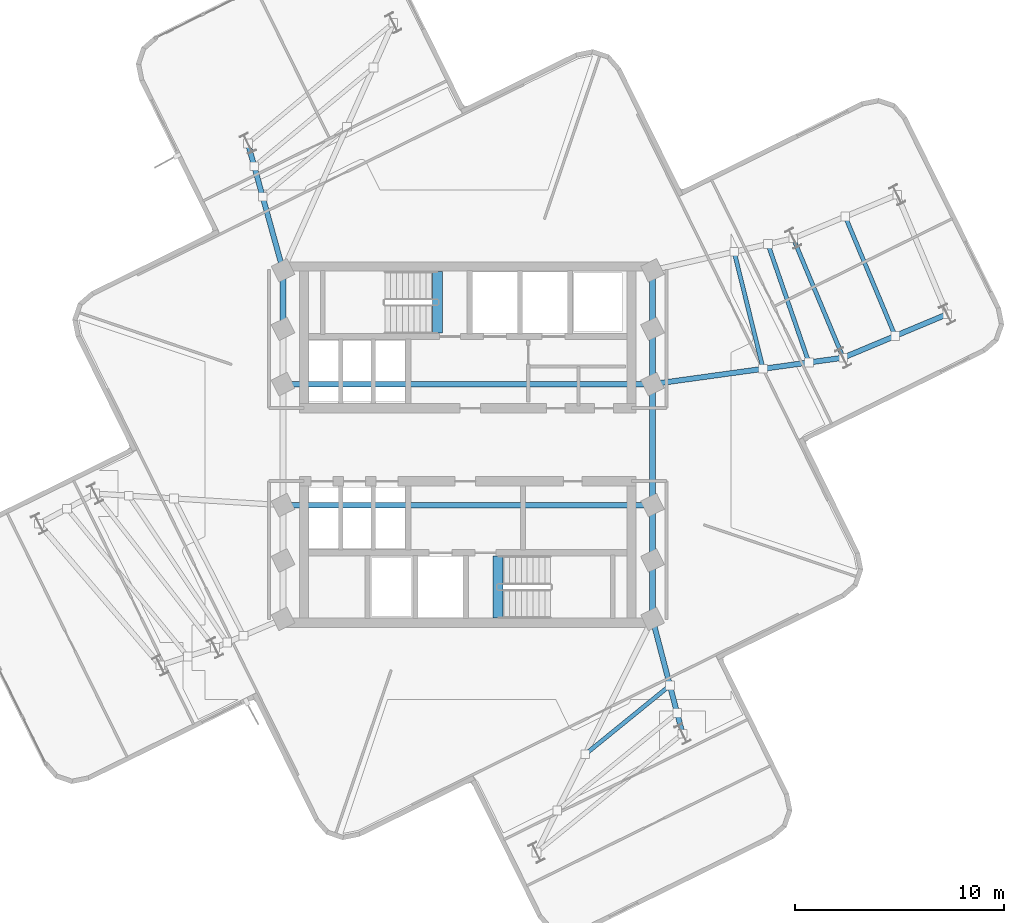
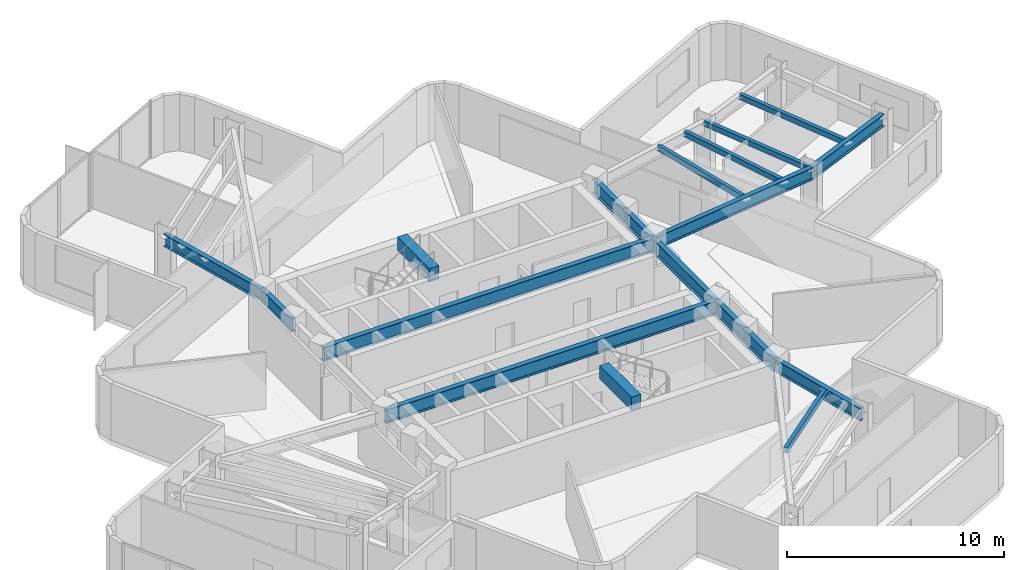
# One storey, part 3 of 11: 19 beams.
"""IFC4 building model written with IfcOpenShell, lengths in metres."""

from ifc_helpers import new_model, si_unit, direction, frame, origin, origin_2d, place, context, subcontext, project, spatial, rectangle, hollow_rectangle, i_section, extrude, material, material_profile, profile_set, type_object, element, save


model = new_model("IFC4")

# Units and contexts
model_context = context("Model", 3, precision=1e-05, world=origin(), true_north=direction((0.0, 1.0)))
body_context = subcontext(model_context, "Body", "Model", "MODEL_VIEW")
ifc_project = project(units=[si_unit("LENGTHUNIT", "METRE"), si_unit("AREAUNIT", "SQUARE_METRE"), si_unit("VOLUMEUNIT", "CUBIC_METRE"), si_unit("PLANEANGLEUNIT", "RADIAN"), si_unit("MASSUNIT", "GRAM", prefix="KILO")], contexts=[model_context])

# Site, building, storey
site_placement = place(None, origin())
site = spatial("IfcSite", under=ifc_project, at=site_placement, CompositionType="ELEMENT")
building_placement = place(site_placement, origin())
building = spatial("IfcBuilding", under=site, at=building_placement, Name="Solmarez Civic Tower", CompositionType="ELEMENT")
storey_placement = place(building_placement, frame((0.0, 0.0, 192.60009765625)))
storey = spatial("IfcBuildingStorey", under=building, at=storey_placement, Name="L51", CompositionType="ELEMENT", Elevation=192.60009765625)

# Beams
ifc_material_1 = material(Name="Steel S355", Category="steel")
ifc_material_profile_1 = material_profile(ifc_material_1, hollow_rectangle(XDim=0.199951171875, YDim=0.300048828125, WallThickness=0.011962890625, at=origin_2d()), Name="HSS300X200X12")
ifc_profile_set_1 = profile_set([ifc_material_profile_1], Name="Steel S355")
beam_type_1 = type_object("IfcBeamType", Name="BM-JS-HSS300X200", PredefinedType="JOIST", material=ifc_profile_set_1)
beam_1_placement = place(storey_placement, frame((17.987060546875, 4.1640625, 3.0498046875), z_axis=(-0.386010282684, 0.922494477849, 0.0), x_axis=(-0.922494477849, -0.386010282684, 0.0)))
element("IfcBeam", 1, at=beam_1_placement, inside=storey, type_object=beam_type_1, Name="L51 Secondary Floor Joist BM-L51-EA-T1", PredefinedType="JOIST", context=body_context, shape_type="SweptSolid", body=[
    extrude(hollow_rectangle(XDim=0.199951171875, YDim=0.300048828125, WallThickness=0.011962890625, at=origin_2d()), origin(), (0.0, 0.0, 1.0), 6.199462890625),
])
beam_2_placement = place(storey_placement, frame((20.47705078125, 5.2060546875, 3.0498046875), z_axis=(-0.385876218946, 0.922550564279, 0.0), x_axis=(-0.922550564279, -0.385876218946, 0.0)))
element("IfcBeam", 2, at=beam_2_placement, inside=storey, type_object=beam_type_1, Name="L51 Secondary Floor Joist JS-L51-EA-M2", PredefinedType="JOIST", context=body_context, shape_type="SweptSolid", body=[
    extrude(hollow_rectangle(XDim=0.199951171875, YDim=0.300048828125, WallThickness=0.011962890625, at=origin_2d()), origin(), (0.0, 0.0, 1.0), 6.19921875),
])
beam_3_placement = place(storey_placement, frame((14.14892578125, 3.633056640625, 3.0498046875), z_axis=(-0.240167471374, 0.970731469405, 0.0), x_axis=(-0.970731469405, -0.240167471374, 0.0)))
element("IfcBeam", 3, at=beam_3_placement, inside=storey, type_object=beam_type_1, Name="L51 Secondary Floor Joist JS-L51-EA-M11", PredefinedType="JOIST", context=body_context, shape_type="SweptSolid", body=[
    extrude(hollow_rectangle(XDim=0.199951171875, YDim=0.300048828125, WallThickness=0.011962890625, at=origin_2d()), origin(), (0.0, 0.0, 1.0), 5.77490234375),
])
beam_4_placement = place(storey_placement, frame((16.342041015625, 3.93603515625, 3.0498046875), z_axis=(-0.326984797789, 0.945029598486, 0.0), x_axis=(-0.945029598486, -0.326984797789, 0.0)))
element("IfcBeam", 4, at=beam_4_placement, inside=storey, type_object=beam_type_1, Name="L51 Secondary Floor Joist JS-L51-EA-M12", PredefinedType="JOIST", context=body_context, shape_type="SweptSolid", body=[
    extrude(hollow_rectangle(XDim=0.199951171875, YDim=0.300048828125, WallThickness=0.011962890625, at=origin_2d()), origin(), (0.0, 0.0, 1.0), 6.000732421875),
])
beam_5_placement = place(storey_placement, frame((5.625, -14.837890625, 3.0498046875), z_axis=(0.776202509922, 0.630483674325, 0.0), x_axis=(-0.630483674325, 0.776202509922, 0.0)))
element("IfcBeam", 5, at=beam_5_placement, inside=storey, type_object=beam_type_1, Name="L51 Secondary Floor Joist JS-L51-SA-M11", PredefinedType="JOIST", context=body_context, shape_type="SweptSolid", body=[
    extrude(hollow_rectangle(XDim=0.199951171875, YDim=0.300048828125, WallThickness=0.011962890625, at=origin_2d()), origin(), (0.0, 0.0, 1.0), 5.230712890625),
])
ifc_material_2 = material(Name="Concrete C50/60", Category="concrete")
ifc_material_profile_2 = material_profile(ifc_material_2, rectangle(XDim=0.5, YDim=0.75, at=origin_2d()), Name="RC500X750")
ifc_profile_set_2 = profile_set([ifc_material_profile_2], Name="Concrete C50/60")
beam_type_2 = type_object("IfcBeamType", Name="BM-PR-RC500X750", PredefinedType="BEAM", material=ifc_profile_set_2)
for number, where, z_axis, x_axis, name in (
    (6, (-1.449951171875, 5.340087890625, 3.23291015625), (0.0, 1.0, 0.0), (-1.0, 0.0, 0.0), "L51 North Stair Threshold Beam"),
    (7, (1.449951171875, -8.300048828125, 3.23291015625), (0.0, 1.0, 0.0), (-1.0, 0.0, 0.0), "L51 South Stair Threshold Beam"),
):
    element("IfcBeam", number, at=place(storey_placement, frame(where, z_axis=z_axis, x_axis=x_axis)), inside=storey, type_object=beam_type_2, Name=name, PredefinedType="BEAM", context=body_context, shape_type="SweptSolid", body=[
        extrude(rectangle(XDim=0.5, YDim=0.75, at=origin_2d()), origin(), (0.0, 0.0, 1.0), 2.9599609375),
    ])
ifc_material_profile_3 = material_profile(ifc_material_1, i_section(OverallWidth=0.25390625, OverallDepth=0.68798828125, WebThickness=0.01318359375, FlangeThickness=0.02099609375, at=origin_2d()), Name="W27X102")
ifc_profile_set_3 = profile_set([ifc_material_profile_3], Name="Steel S355")
beam_type_3 = type_object("IfcBeamType", Name="BM-PR-W27X102", PredefinedType="BEAM", material=ifc_profile_set_3)
beam_6_placement = place(storey_placement, frame((8.85009765625, 2.89990234375, 2.85595703125), z_axis=(0.990563968355, 0.137051175101, 0.0), x_axis=(-0.137051175101, 0.990563968355, 0.0)))
element("IfcBeam", 8, at=beam_6_placement, inside=storey, type_object=beam_type_3, Name="L51 Primary Floor Beam BM-L51-EA-R1A", PredefinedType="BEAM", context=body_context, shape_type="SweptSolid", body=[
    extrude(i_section(OverallWidth=0.25390625, OverallDepth=0.68798828125, WebThickness=0.01318359375, FlangeThickness=0.02099609375, at=origin_2d()), origin(), (0.0, 0.0, 1.0), 9.22412109375),
])
beam_7_placement = place(storey_placement, frame((17.987060546875, 4.1640625, 2.85595703125), z_axis=(0.922511388683, 0.385969866376, 0.0), x_axis=(-0.385969866376, 0.922511388683, 0.0)))
element("IfcBeam", 9, at=beam_7_placement, inside=storey, type_object=beam_type_3, Name="L51 Primary Floor Beam BM-L51-EA-R2A", PredefinedType="BEAM", context=body_context, shape_type="SweptSolid", body=[
    extrude(i_section(OverallWidth=0.25390625, OverallDepth=0.68798828125, WebThickness=0.01318359375, FlangeThickness=0.02099609375, at=origin_2d()), origin(), (0.0, 0.0, 1.0), 5.3994140625),
])
beam_8_placement = place(storey_placement, frame((-8.85009765625, 8.35009765625, 2.85595703125), z_axis=(-0.266634219494, 0.963797796737, 0.0), x_axis=(-0.963797796737, -0.266634219494, 0.0)))
element("IfcBeam", 10, at=beam_8_placement, inside=storey, type_object=beam_type_3, Name="L51 Primary Floor Beam BM-L51-NA-R1B", PredefinedType="BEAM", context=body_context, shape_type="SweptSolid", body=[
    extrude(i_section(OverallWidth=0.25390625, OverallDepth=0.68798828125, WebThickness=0.01318359375, FlangeThickness=0.02099609375, at=origin_2d()), origin(), (0.0, 0.0, 1.0), 6.3115234375),
])
beam_9_placement = place(storey_placement, frame((8.85009765625, -8.35009765625, 2.85595703125), z_axis=(0.253271365575, -0.967395273598, 0.0), x_axis=(0.967395273598, 0.253271365575, 0.0)))
element("IfcBeam", 11, at=beam_9_placement, inside=storey, type_object=beam_type_3, Name="L51 Primary Floor Beam BM-L51-SA-R1B", PredefinedType="BEAM", context=body_context, shape_type="SweptSolid", body=[
    extrude(i_section(OverallWidth=0.25390625, OverallDepth=0.68798828125, WebThickness=0.01318359375, FlangeThickness=0.02099609375, at=origin_2d()), origin(), (0.0, 0.0, 1.0), 5.685302734375),
])
ifc_material_profile_4 = material_profile(ifc_material_1, i_section(OverallWidth=0.26708984375, OverallDepth=0.761962890625, WebThickness=0.014404296875, FlangeThickness=0.021484375, at=origin_2d()), Name="W30X116")
ifc_profile_set_4 = profile_set([ifc_material_profile_4], Name="Steel S355")
beam_type_4 = type_object("IfcBeamType", Name="BM-PR-W30X116", PredefinedType="BEAM", material=ifc_profile_set_4)
for number, where, z_axis, x_axis, name in (
    (12, (-8.85009765625, 5.550048828125, 2.81884765625), (0.0, 1.0, 0.0), (-1.0, 0.0, 0.0), "L51 Primary Floor Beam BM-L51-HC4-HC9"),
    (13, (8.85009765625, -8.35009765625, 2.81884765625), (0.0, 1.0, 0.0), (-1.0, 0.0, 0.0), "L51 Primary Floor Beam BM-L51-HC10-HC5"),
):
    element("IfcBeam", number, at=place(storey_placement, frame(where, z_axis=z_axis, x_axis=x_axis)), inside=storey, type_object=beam_type_4, Name=name, PredefinedType="BEAM", context=body_context, shape_type="SweptSolid", body=[
        extrude(i_section(OverallWidth=0.26708984375, OverallDepth=0.761962890625, WebThickness=0.014404296875, FlangeThickness=0.021484375, at=origin_2d()), origin(), (0.0, 0.0, 1.0), 2.800048828125),
    ])
beam_10_placement = place(storey_placement, frame((8.85009765625, -5.550048828125, 2.81884765625), z_axis=(0.0, 1.0, 0.0), x_axis=(-1.0, 0.0, 0.0)))
element("IfcBeam", 14, at=beam_10_placement, inside=storey, type_object=beam_type_4, Name="L51 Primary Floor Beam BM-L51-HC5-HC6", PredefinedType="BEAM", context=body_context, shape_type="SweptSolid", body=[
    extrude(i_section(OverallWidth=0.26708984375, OverallDepth=0.761962890625, WebThickness=0.014404296875, FlangeThickness=0.021484375, at=origin_2d()), origin(), (0.0, 0.0, 1.0), 2.650146484375),
])
beam_11_placement = place(storey_placement, frame((8.85009765625, -2.89990234375, 2.81884765625), z_axis=(0.0, 1.0, 0.0), x_axis=(-1.0, 0.0, 0.0)))
element("IfcBeam", 15, at=beam_11_placement, inside=storey, type_object=beam_type_4, Name="L51 Primary Floor Beam BM-L51-HC6-HC7", PredefinedType="BEAM", context=body_context, shape_type="SweptSolid", body=[
    extrude(i_section(OverallWidth=0.26708984375, OverallDepth=0.761962890625, WebThickness=0.014404296875, FlangeThickness=0.021484375, at=origin_2d()), origin(), (0.0, 0.0, 1.0), 5.7998046875),
])
beam_12_placement = place(storey_placement, frame((8.85009765625, 2.89990234375, 2.81884765625), z_axis=(0.0, 1.0, 0.0), x_axis=(-1.0, 0.0, 0.0)))
element("IfcBeam", 16, at=beam_12_placement, inside=storey, type_object=beam_type_4, Name="L51 Primary Floor Beam BM-L51-HC7-HC8", PredefinedType="BEAM", context=body_context, shape_type="SweptSolid", body=[
    extrude(i_section(OverallWidth=0.26708984375, OverallDepth=0.761962890625, WebThickness=0.014404296875, FlangeThickness=0.021484375, at=origin_2d()), origin(), (0.0, 0.0, 1.0), 2.650146484375),
])
beam_13_placement = place(storey_placement, frame((8.85009765625, 5.550048828125, 2.81884765625), z_axis=(0.0, 1.0, 0.0), x_axis=(-1.0, 0.0, 0.0)))
element("IfcBeam", 17, at=beam_13_placement, inside=storey, type_object=beam_type_4, Name="L51 Primary Floor Beam BM-L51-HC8-HC11", PredefinedType="BEAM", context=body_context, shape_type="SweptSolid", body=[
    extrude(i_section(OverallWidth=0.26708984375, OverallDepth=0.761962890625, WebThickness=0.014404296875, FlangeThickness=0.021484375, at=origin_2d()), origin(), (0.0, 0.0, 1.0), 2.800048828125),
])
for number, where, z_axis, x_axis, name in (
    (18, (-8.85009765625, -2.89990234375, 2.81884765625), (1.0, 0.0, 0.0), (0.0, 1.0, 0.0), "L51 Primary Floor Beam BM-L51-HC2-HC6"),
    (19, (-8.85009765625, 2.89990234375, 2.81884765625), (1.0, 0.0, 0.0), (0.0, 1.0, 0.0), "L51 Primary Floor Beam BM-L51-HC3-HC7"),
):
    element("IfcBeam", number, at=place(storey_placement, frame(where, z_axis=z_axis, x_axis=x_axis)), inside=storey, type_object=beam_type_4, Name=name, PredefinedType="BEAM", context=body_context, shape_type="SweptSolid", body=[
        extrude(i_section(OverallWidth=0.26708984375, OverallDepth=0.761962890625, WebThickness=0.014404296875, FlangeThickness=0.021484375, at=origin_2d()), origin(), (0.0, 0.0, 1.0), 17.7001953125),
    ])

save(model, "model.ifc")
